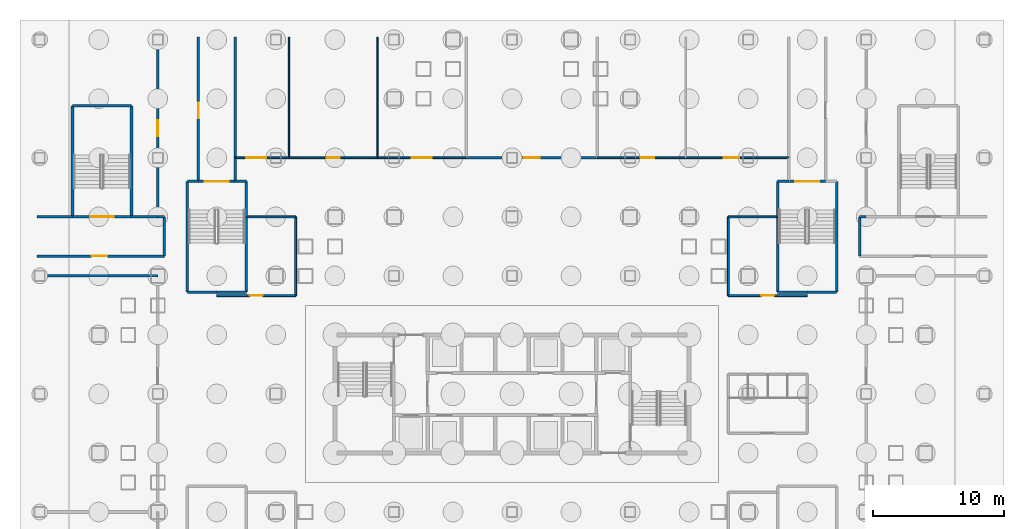
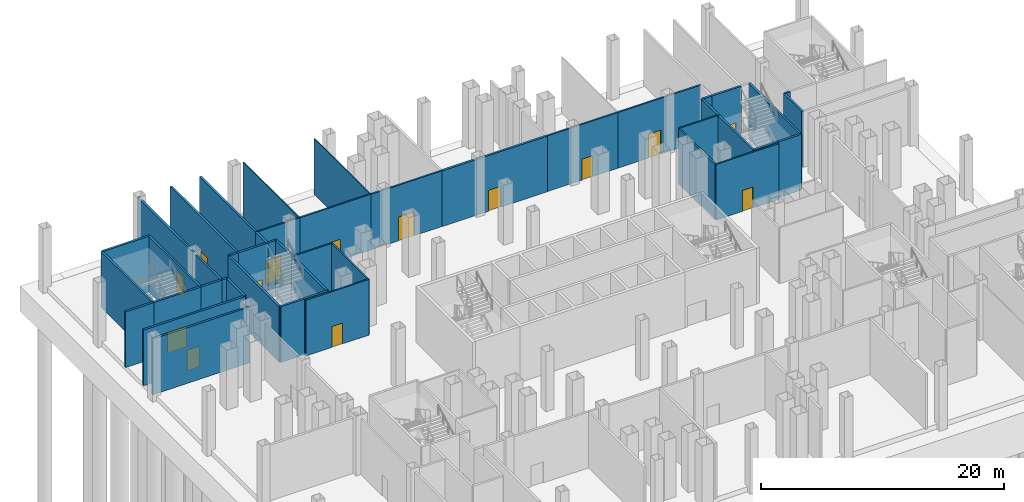
# One storey, part 6 of 25: 45 walls, 14 doors, 14 openings.
"""IFC4 building model written with IfcOpenShell, lengths in metres."""

import ifcopenshell
import ifcopenshell.guid

model = None  # the IFC model being written
_history = None  # IfcOwnerHistory: only IFC2X3 demands one
_inside = {}  # id of a spatial element -> (the spatial element, [elements in it])
_under = {}  # id of a project, library or spatial element -> (it, [spatial elements below it])
_declared = {}  # id of a project -> (the project, [libraries it declares])
_typed = {}  # id of a type object -> (the type object, [elements of that type])
_made_of = {}  # id of a material, layer set ... -> (it, [elements and type objects made of it])


def new_model(schema):
    """Start an empty IFC model of exactly this schema.

    Asked for "IFC4X3", IfcOpenShell would pick the latest addendum, in which some entities
    have other attributes; the version numbers below select the first issue.
    IFC2X3 requires an IfcOwnerHistory on every rooted entity: one is made here for all.
    """
    global model, _history
    if schema == "IFC4X3":
        model = ifcopenshell.file(schema_version=(4, 3, 0, 0))
    else:
        model = ifcopenshell.file(schema=schema)
    _inside.clear()
    _under.clear()
    _declared.clear()
    _typed.clear()
    _made_of.clear()
    _history = None
    if model.schema == "IFC2X3":
        org = make("IfcOrganization", Name="unknown")
        user = make(
            "IfcPersonAndOrganization",
            ThePerson=make("IfcPerson", FamilyName="unknown"),
            TheOrganization=org,
        )
        app = make(
            "IfcApplication",
            ApplicationDeveloper=org,
            Version="unknown",
            ApplicationFullName="unknown",
            ApplicationIdentifier="unknown",
        )
        _history = make(
            "IfcOwnerHistory",
            OwningUser=user,
            OwningApplication=app,
            ChangeAction="ADDED",
            CreationDate=0,
        )
    return model


def make(cls, **values):
    """One entity of the class cls with the attributes given. An attribute that is None is left unset."""
    return model.create_entity(
        cls, **{name: value for name, value in values.items() if value is not None}
    )


def rooted(cls, **values):
    """An entity with a GlobalId (a new one), such as an element, a storey or a relation."""
    return make(cls, GlobalId=ifcopenshell.guid.new(), OwnerHistory=_history, **values)


def si_unit(unit_type, name, prefix=None):
    """IfcSIUnit, for example si_unit("LENGTHUNIT", "METRE", prefix="MILLI")."""
    return make("IfcSIUnit", UnitType=unit_type, Prefix=prefix, Name=name)


def assignment(units):
    """IfcUnitAssignment: the units of a project."""
    return None if units is None else make("IfcUnitAssignment", Units=units)


def point(xyz):
    """IfcCartesianPoint."""
    return None if xyz is None else make("IfcCartesianPoint", Coordinates=xyz)


def direction(xyz):
    """IfcDirection."""
    return None if xyz is None else make("IfcDirection", DirectionRatios=xyz)


def frame(location, z_axis=None, x_axis=None):
    """IfcAxis2Placement3D, a coordinate frame: its origin and axes. An axis left out is left unset."""
    return make(
        "IfcAxis2Placement3D",
        Location=point(location),
        Axis=direction(z_axis),
        RefDirection=direction(x_axis),
    )


def frame_2d(location, x_axis=None):
    """IfcAxis2Placement2D, a coordinate frame in the plane: its origin and x axis."""
    return make(
        "IfcAxis2Placement2D", Location=point(location), RefDirection=direction(x_axis)
    )


def origin():
    """The frame at (0, 0, 0) with its axes left unset."""
    return frame((0.0, 0.0, 0.0))


def place(relative_to, where):
    """IfcLocalPlacement: puts the frame where relative to a parent placement (None: the world)."""
    return make(
        "IfcLocalPlacement", PlacementRelTo=relative_to, RelativePlacement=where
    )


def context(
    kind, dimensions, precision=None, world=None, true_north=None, identifier=None
):
    """IfcGeometricRepresentationContext, for example the 3D "Model" context."""
    return make(
        "IfcGeometricRepresentationContext",
        ContextIdentifier=identifier,
        ContextType=kind,
        CoordinateSpaceDimension=dimensions,
        Precision=precision,
        WorldCoordinateSystem=world,
        TrueNorth=true_north,
    )


def subcontext(parent, identifier, kind, view, scale=None):
    """IfcGeometricRepresentationSubContext, for example "Body" below "Model"."""
    return make(
        "IfcGeometricRepresentationSubContext",
        ContextIdentifier=identifier,
        ContextType=kind,
        ParentContext=parent,
        TargetScale=scale,
        TargetView=view,
    )


def project(units=None, contexts=None):
    """IfcProject with its units and contexts."""
    return rooted(
        "IfcProject",
        Name="project",
        RepresentationContexts=contexts,
        UnitsInContext=assignment(units),
    )


def spatial(cls, under=None, at=None, **own):
    """A site, building, storey or space (cls), placed at a placement, below another one or the project."""
    s = rooted(cls, ObjectPlacement=at, **own)
    if under is not None:
        _under.setdefault(under.id(), (under, []))[1].append(s)
    return s


def profile(cls, at=None, kind="AREA", **sizes):
    """A parametric profile (cls). Its sizes go by their IFC names, for example OverallWidth=200.0."""
    return make(cls, ProfileType=kind, Position=at, **sizes)


def rectangle(**sizes):
    """IfcRectangleProfileDef."""
    return profile("IfcRectangleProfileDef", **sizes)


def extrude(swept, where, along, depth):
    """IfcExtrudedAreaSolid: the profile swept, set in the frame where, extruded along a direction by depth."""
    return make(
        "IfcExtrudedAreaSolid",
        SweptArea=swept,
        Position=where,
        ExtrudedDirection=direction(along),
        Depth=depth,
    )


def shape(context_of_items, identifier, shape_type, items):
    """IfcShapeRepresentation: the items that make up one representation, for example the "Body"."""
    return make(
        "IfcShapeRepresentation",
        ContextOfItems=context_of_items,
        RepresentationIdentifier=identifier,
        RepresentationType=shape_type,
        Items=items,
    )


def material(Name=None, Category=None):
    """IfcMaterial."""
    return make("IfcMaterial", Name=Name, Category=Category)


def layer(
    of_material, thickness, ventilated=None, Name=None, Category=None, Priority=None
):
    """IfcMaterialLayer: one layer of a wall or slab, of a material (None: an air gap)."""
    return make(
        "IfcMaterialLayer",
        Material=of_material,
        LayerThickness=thickness,
        IsVentilated=ventilated,
        Name=Name,
        Category=Category,
        Priority=Priority,
    )


def layer_set(layers, Name=None):
    """IfcMaterialLayerSet."""
    return make("IfcMaterialLayerSet", MaterialLayers=layers, LayerSetName=Name)


def made_of(thing, what):
    """Note that an element or type object is made of a material, layer set ...; save() writes the relation."""
    if what is not None:
        _made_of.setdefault(what.id(), (what, []))[1].append(thing)
    return thing


def type_object(cls, material=None, **own):
    """A type object (cls), such as IfcWallType, which elements share."""
    return made_of(rooted(cls, **own), material)


def element(
    cls,
    number,
    at=None,
    inside=None,
    cuts=None,
    type_object=None,
    material=None,
    context=None,
    identifier="Body",
    shape_type=None,
    held_by="IfcProductDefinitionShape",
    body=None,
    shapes=None,
    **own,
):
    """One element of the class cls, such as IfcWall. Its Tag is "e" and its number.

    at: its placement. inside: the storey or other place that contains it. cuts: it is an
    opening in that element (IfcRelVoidsElement). A single representation is given by context,
    identifier, shape_type and body (its items); several are given by shapes. held_by: the class
    of the entity that holds the representations. save() writes the other relations.
    """
    e = rooted(cls, Tag="e%d" % number, ObjectPlacement=at, **own)
    if body is not None:
        shapes = [shape(context, identifier, shape_type, body)]
    if shapes is not None:
        e.Representation = make(held_by, Representations=shapes)
    if inside is not None:
        _inside.setdefault(inside.id(), (inside, []))[1].append(e)
    if cuts is not None:
        rooted(
            "IfcRelVoidsElement", RelatingBuildingElement=cuts, RelatedOpeningElement=e
        )
    if type_object is not None:
        _typed.setdefault(type_object.id(), (type_object, []))[1].append(e)
    return made_of(e, material)


def fill(opening, filler):
    """IfcRelFillsElement: the door or window that sits in an opening."""
    return rooted(
        "IfcRelFillsElement",
        RelatingOpeningElement=opening,
        RelatedBuildingElement=filler,
    )


def aggregate(whole, parts):
    """IfcRelAggregates: a whole, such as a stair, and the parts it consists of."""
    return rooted("IfcRelAggregates", RelatingObject=whole, RelatedObjects=parts)


def save(model, path):
    """Write the relations noted so far, then the file.

    IfcRelAggregates (storeys below a building ...), IfcRelContainedInSpatialStructure (elements
    in a storey), IfcRelDefinesByType, IfcRelAssociatesMaterial and IfcRelDeclares: one each for
    every whole, place, type object, material and project.
    """
    for whole, parts in _under.values():
        aggregate(whole, parts)
    for where, things in _inside.values():
        rooted(
            "IfcRelContainedInSpatialStructure",
            RelatedElements=things,
            RelatingStructure=where,
        )
    for kind, things in _typed.values():
        rooted("IfcRelDefinesByType", RelatedObjects=things, RelatingType=kind)
    for what, things in _made_of.values():
        rooted("IfcRelAssociatesMaterial", RelatedObjects=things, RelatingMaterial=what)
    for by, libraries in _declared.values():
        rooted("IfcRelDeclares", RelatingContext=by, RelatedDefinitions=libraries)
    model.write(path)


model = new_model("IFC4")

# Units and contexts
model_context = context("Model", 3, precision=1e-05, world=origin(), true_north=direction((0.0, 1.0)))
body_context = subcontext(model_context, "Body", "Model", "MODEL_VIEW")
ifc_project = project(units=[si_unit("LENGTHUNIT", "METRE"), si_unit("AREAUNIT", "SQUARE_METRE"), si_unit("VOLUMEUNIT", "CUBIC_METRE"), si_unit("PLANEANGLEUNIT", "RADIAN"), si_unit("MASSUNIT", "GRAM", prefix="KILO")], contexts=[model_context])

# Site, building, storey
site_placement = place(None, origin())
site = spatial("IfcSite", under=ifc_project, at=site_placement, CompositionType="ELEMENT")
building_placement = place(site_placement, origin())
building = spatial("IfcBuilding", under=site, at=building_placement, Name="Caravel Reach Hotel and Residences", CompositionType="ELEMENT")
storey_placement = place(building_placement, frame((0.0, 0.0, -6.0)))
storey = spatial("IfcBuildingStorey", under=building, at=storey_placement, Name="B1", CompositionType="ELEMENT", Elevation=-6.0)

# Wall
ifc_material_1 = material(Name="Autoclaved aerated block wall")
ifc_layer_1 = layer(ifc_material_1, 0.199951171875)
ifc_layer_set_1 = layer_set([ifc_layer_1], Name="Compartment wall 200 mm EI 120")
wall_type_1 = type_object("IfcWallType", Name="Compartment wall 200 mm EI 120", PredefinedType="PARTITIONING", material=ifc_layer_set_1)
wall_1_placement = place(storey_placement, frame((-4.68994140625, 36.0, 0.0), z_axis=(0.0, 0.0, 1.0), x_axis=(1.0, 0.0, 0.0)))
element("IfcWall", 1, at=wall_1_placement, inside=storey, type_object=wall_type_1, Name="B1 wall w037", PredefinedType="PARTITIONING", context=body_context, shape_type="SweptSolid", body=[
    extrude(rectangle(XDim=9.18994140625, YDim=0.199951171875, at=frame_2d((4.594970703125, 0.0))), origin(), (0.0, 0.0, 1.0), 5.60009765625),
])

# Wall, opening, door
wall_2_placement = place(storey_placement, frame((-4.68994140625, 37.5, 0.0), z_axis=(0.0, 0.0, 1.0), x_axis=(1.0, 0.0, 0.0)))
wall_2 = element("IfcWall", 2, at=wall_2_placement, inside=storey, type_object=wall_type_1, Name="B1 wall w039", PredefinedType="PARTITIONING", context=body_context, shape_type="SweptSolid", body=[
    extrude(rectangle(XDim=9.68994140625, YDim=0.199951171875, at=frame_2d((4.844970703125, 0.0))), origin(), (0.0, 0.0, 1.0), 5.60009765625),
])
opening_1_placement = place(wall_2_placement, frame((4.14990234375, 0.0, 0.0)))
opening_1 = element("IfcOpeningElement", 3, at=opening_1_placement, cuts=wall_2, Name="Opening DB1-022", PredefinedType="OPENING", context=body_context, shape_type="SweptSolid", body=[
    extrude(rectangle(XDim=1.199951171875, YDim=2.10009765625, at=frame_2d((0.60009765625, 1.050048828125))), frame((0.0, 0.10986328125, 0.0), z_axis=(0.0, -1.0, 0.0), x_axis=(1.0, 0.0, 0.0)), (0.0, 0.0, 1.0), 0.219970703125),
])
ifc_material_2 = material(Name="Steel fire door leaf", Category="steel")
door_type_1 = type_object("IfcDoorType", Name="Fire lobby door 1200 x 2100 EI 90", OperationType="SINGLE_SWING_LEFT", PredefinedType="DOOR", material=ifc_material_2)
door_1_placement = place(opening_1_placement, origin())
door_1 = element("IfcDoor", 4, at=door_1_placement, inside=storey, type_object=door_type_1, Name="door DB1-022", OperationType="SINGLE_SWING_RIGHT", OverallHeight=2.10009765625, OverallWidth=1.199951171875, PredefinedType="DOOR", context=body_context, shape_type="SweptSolid", body=[
    extrude(rectangle(XDim=1.199951171875, YDim=2.10009765625, at=frame_2d((0.60009765625, 1.050048828125))), frame((0.0, 0.02490234375, 0.0), z_axis=(0.0, -1.0, 0.0), x_axis=(1.0, 0.0, 0.0)), (0.0, 0.0, 1.0), 0.050048828125),
])
fill(opening_1, door_1)

# Walls
wall_3_placement = place(storey_placement, frame((4.5, 40.5, 0.0), z_axis=(0.0, 0.0, 1.0), x_axis=(1.0, 0.0, 0.0)))
element("IfcWall", 5, at=wall_3_placement, inside=storey, type_object=wall_type_1, Name="B1 wall w043", PredefinedType="PARTITIONING", context=body_context, shape_type="SweptSolid", body=[
    extrude(rectangle(XDim=0.5, YDim=0.199951171875, at=frame_2d((0.25, 0.0))), origin(), (0.0, 0.0, 1.0), 5.60009765625),
])
wall_4_placement = place(storey_placement, frame((-4.68994140625, 40.5, 0.0), z_axis=(0.0, 0.0, 1.0), x_axis=(1.0, 0.0, 0.0)))
element("IfcWall", 6, at=wall_4_placement, inside=storey, type_object=wall_type_1, Name="B1 wall w044", PredefinedType="PARTITIONING", context=body_context, shape_type="SweptSolid", body=[
    extrude(rectangle(XDim=2.68994140625, YDim=0.199951171875, at=frame_2d((1.344970703125, 0.0))), origin(), (0.0, 0.0, 1.0), 5.60009765625),
])
wall_5_placement = place(storey_placement, frame((2.5, 40.5, 0.0), z_axis=(0.0, 0.0, 1.0), x_axis=(1.0, 0.0, 0.0)))
element("IfcWall", 7, at=wall_5_placement, inside=storey, type_object=wall_type_1, Name="B1 wall w045", PredefinedType="PARTITIONING", context=body_context, shape_type="SweptSolid", body=[
    extrude(rectangle(XDim=2.0, YDim=0.199951171875, at=frame_2d((1.0, 0.0))), origin(), (0.0, 0.0, 1.0), 5.60009765625),
])
wall_6_placement = place(storey_placement, frame((58.0, 40.5, 0.0), z_axis=(0.0, 0.0, 1.0), x_axis=(1.0, 0.0, 0.0)))
element("IfcWall", 8, at=wall_6_placement, inside=storey, type_object=wall_type_1, Name="B1 wall w046", PredefinedType="PARTITIONING", context=body_context, shape_type="SweptSolid", body=[
    extrude(rectangle(XDim=0.5, YDim=0.199951171875, at=frame_2d((0.25, 0.0))), origin(), (0.0, 0.0, 1.0), 5.60009765625),
])

# Wall, opening, door
wall_7_placement = place(storey_placement, frame((28.0, 45.0, 0.0), z_axis=(0.0, 0.0, 1.0), x_axis=(1.0, 0.0, 0.0)))
wall_7 = element("IfcWall", 9, at=wall_7_placement, inside=storey, type_object=wall_type_1, Name="B1 wall w049", PredefinedType="PARTITIONING", context=body_context, shape_type="SweptSolid", body=[
    extrude(rectangle(XDim=10.0, YDim=0.199951171875, at=frame_2d((5.0, 0.0))), origin(), (0.0, 0.0, 1.0), 5.60009765625),
])
opening_2_placement = place(wall_7_placement, frame((4.39990234375, 0.0, 0.0)))
opening_2 = element("IfcOpeningElement", 10, at=opening_2_placement, cuts=wall_7, Name="Opening DB1-043", PredefinedType="OPENING", context=body_context, shape_type="SweptSolid", body=[
    extrude(rectangle(XDim=1.199951171875, YDim=2.10009765625, at=frame_2d((0.60009765625, 1.050048828125))), frame((0.0, 0.10986328125, 0.0), z_axis=(0.0, -1.0, 0.0), x_axis=(1.0, 0.0, 0.0)), (0.0, 0.0, 1.0), 0.219970703125),
])
ifc_material_3 = material(Name="Steel fire door leaf", Category="steel")
door_type_2 = type_object("IfcDoorType", Name="Plant room door 1200 x 2100 EI 60", OperationType="SINGLE_SWING_LEFT", PredefinedType="DOOR", material=ifc_material_3)
door_2_placement = place(opening_2_placement, origin())
door_2 = element("IfcDoor", 11, at=door_2_placement, inside=storey, type_object=door_type_2, Name="door DB1-043", OperationType="SINGLE_SWING_LEFT", OverallHeight=2.10009765625, OverallWidth=1.199951171875, PredefinedType="DOOR", context=body_context, shape_type="SweptSolid", body=[
    extrude(rectangle(XDim=1.199951171875, YDim=2.10009765625, at=frame_2d((0.60009765625, 1.050048828125))), frame((0.0, 0.02490234375, 0.0), z_axis=(0.0, -1.0, 0.0), x_axis=(1.0, 0.0, 0.0)), (0.0, 0.0, 1.0), 0.050048828125),
])
fill(opening_2, door_2)

# Walls
wall_8_placement = place(storey_placement, frame((10.39990234375, 43.199951171875, 0.0), z_axis=(0.0, 0.0, 1.0), x_axis=(0.0, 1.0, 0.0)))
element("IfcWall", 12, at=wall_8_placement, inside=storey, type_object=wall_type_1, Name="B1 wall w056", PredefinedType="PARTITIONING", context=body_context, shape_type="SweptSolid", body=[
    extrude(rectangle(XDim=1.800048828125, YDim=0.199951171875, at=frame_2d((0.89990234375, 0.0))), origin(), (0.0, 0.0, 1.0), 5.60009765625),
])
wall_9_placement = place(storey_placement, frame((10.39990234375, 45.0, 0.0), z_axis=(0.0, 0.0, 1.0), x_axis=(0.0, 1.0, 0.0)))
element("IfcWall", 13, at=wall_9_placement, inside=storey, type_object=wall_type_1, Name="B1 wall w057", PredefinedType="PARTITIONING", context=body_context, shape_type="SweptSolid", body=[
    extrude(rectangle(XDim=9.18994140625, YDim=0.199951171875, at=frame_2d((4.594970703125, 0.0))), origin(), (0.0, 0.0, 1.0), 5.60009765625),
])

# Wall, opening, door
wall_10_placement = place(storey_placement, frame((4.5, 40.5, 0.0), z_axis=(0.0, 0.0, 1.0), x_axis=(0.0, 1.0, 0.0)))
wall_10 = element("IfcWall", 14, at=wall_10_placement, inside=storey, type_object=wall_type_1, Name="B1 wall w068", PredefinedType="PARTITIONING", context=body_context, shape_type="SweptSolid", body=[
    extrude(rectangle(XDim=13.68994140625, YDim=0.199951171875, at=frame_2d((6.844970703125, 0.0))), origin(), (0.0, 0.0, 1.0), 5.60009765625),
])
opening_3_placement = place(wall_10_placement, frame((6.14990234375, 0.0, 0.0)))
opening_3 = element("IfcOpeningElement", 15, at=opening_3_placement, cuts=wall_10, Name="Opening DB1-030", PredefinedType="OPENING", context=body_context, shape_type="SweptSolid", body=[
    extrude(rectangle(XDim=1.199951171875, YDim=2.10009765625, at=frame_2d((0.60009765625, 1.050048828125))), frame((0.0, 0.10986328125, 0.0), z_axis=(0.0, -1.0, 0.0), x_axis=(1.0, 0.0, 0.0)), (0.0, 0.0, 1.0), 0.219970703125),
])
door_3_placement = place(opening_3_placement, origin())
door_3 = element("IfcDoor", 16, at=door_3_placement, inside=storey, type_object=door_type_2, Name="door DB1-030", OperationType="SINGLE_SWING_LEFT", OverallHeight=2.10009765625, OverallWidth=1.199951171875, PredefinedType="DOOR", context=body_context, shape_type="SweptSolid", body=[
    extrude(rectangle(XDim=1.199951171875, YDim=2.10009765625, at=frame_2d((0.60009765625, 1.050048828125))), frame((0.0, 0.02490234375, 0.0), z_axis=(0.0, -1.0, 0.0), x_axis=(1.0, 0.0, 0.0)), (0.0, 0.0, 1.0), 0.050048828125),
])
fill(opening_3, door_3)

# Walls
for number, where, z_axis, x_axis, name in (
    (17, (5.0, 37.5, 0.0), (0.0, 0.0, 1.0), (0.0, 1.0, 0.0), "B1 wall w070"),
    (18, (58.0, 37.5, 0.0), (0.0, 0.0, 1.0), (0.0, 1.0, 0.0), "B1 wall w078"),
):
    element("IfcWall", number, at=place(storey_placement, frame(where, z_axis=z_axis, x_axis=x_axis)), inside=storey, type_object=wall_type_1, Name=name, PredefinedType="PARTITIONING", context=body_context, shape_type="SweptSolid", body=[
        extrude(rectangle(XDim=3.0, YDim=0.199951171875, at=frame_2d((1.5, 0.0))), origin(), (0.0, 0.0, 1.0), 5.60009765625),
    ])

# Wall, opening, door
wall_11_placement = place(storey_placement, frame((7.60009765625, 43.199951171875, 0.0), z_axis=(0.0, 0.0, 1.0), x_axis=(0.0, 1.0, 0.0)))
wall_11 = element("IfcWall", 19, at=wall_11_placement, inside=storey, type_object=wall_type_1, Name="B1 wall w081", PredefinedType="PARTITIONING", context=body_context, shape_type="SweptSolid", body=[
    extrude(rectangle(XDim=10.989990234375, YDim=0.199951171875, at=frame_2d((5.4951171875, 0.0))), origin(), (0.0, 0.0, 1.0), 5.60009765625),
])
opening_4_placement = place(wall_11_placement, frame((4.800048828125, 0.0, 0.0)))
opening_4 = element("IfcOpeningElement", 20, at=opening_4_placement, cuts=wall_11, Name="Opening DB1-014", PredefinedType="OPENING", context=body_context, shape_type="SweptSolid", body=[
    extrude(rectangle(XDim=1.199951171875, YDim=2.10009765625, at=frame_2d((0.60009765625, 1.050048828125))), frame((0.0, 0.10986328125, 0.0), z_axis=(0.0, -1.0, 0.0), x_axis=(1.0, 0.0, 0.0)), (0.0, 0.0, 1.0), 0.219970703125),
])
door_4_placement = place(opening_4_placement, origin())
door_4 = element("IfcDoor", 21, at=door_4_placement, inside=storey, type_object=door_type_1, Name="door DB1-014", OperationType="SINGLE_SWING_RIGHT", OverallHeight=2.10009765625, OverallWidth=1.199951171875, PredefinedType="DOOR", context=body_context, shape_type="SweptSolid", body=[
    extrude(rectangle(XDim=1.199951171875, YDim=2.10009765625, at=frame_2d((0.60009765625, 1.050048828125))), frame((0.0, 0.02490234375, 0.0), z_axis=(0.0, -1.0, 0.0), x_axis=(1.0, 0.0, 0.0)), (0.0, 0.0, 1.0), 0.050048828125),
])
fill(opening_4, door_4)

ifc_material_4 = material(Name="Gypsum board on steel stud, fire-rated", Category="steel")
ifc_layer_2 = layer(ifc_material_4, 0.14990234375)
ifc_layer_set_2 = layer_set([ifc_layer_2], Name="Corridor wall 150 mm EI 60")
wall_type_2 = type_object("IfcWallType", Name="Corridor wall 150 mm EI 60", PredefinedType="PARTITIONING", material=ifc_layer_set_2)
wall_12_placement = place(storey_placement, frame((9.0, 34.5, 0.0), z_axis=(0.0, 0.0, 1.0), x_axis=(1.0, 0.0, 0.0)))
wall_12 = element("IfcWall", 22, at=wall_12_placement, inside=storey, type_object=wall_type_2, Name="B1 wall w007", PredefinedType="PARTITIONING", context=body_context, shape_type="SweptSolid", body=[
    extrude(rectangle(XDim=6.0, YDim=0.14990234375, at=frame_2d((3.0, 0.0))), origin(), (0.0, 0.0, 1.0), 5.60009765625),
])
opening_5_placement = place(wall_12_placement, frame((2.5, 0.0, 0.0)))
opening_5 = element("IfcOpeningElement", 23, at=opening_5_placement, cuts=wall_12, Name="Opening DB1-047", PredefinedType="OPENING", context=body_context, shape_type="SweptSolid", body=[
    extrude(rectangle(XDim=1.0, YDim=2.10009765625, at=frame_2d((0.5, 1.050048828125))), frame((0.0, 0.0849609375, 0.0), z_axis=(0.0, -1.0, 0.0), x_axis=(1.0, 0.0, 0.0)), (0.0, 0.0, 1.0), 0.169921875),
])
ifc_material_5 = material(Name="Steel fire door leaf", Category="steel")
door_type_3 = type_object("IfcDoorType", Name="Fire door 1000 x 2100 EI 60", OperationType="SINGLE_SWING_LEFT", PredefinedType="DOOR", material=ifc_material_5)
door_5_placement = place(opening_5_placement, origin())
door_5 = element("IfcDoor", 24, at=door_5_placement, inside=storey, type_object=door_type_3, Name="door DB1-047", OperationType="SINGLE_SWING_RIGHT", OverallHeight=2.10009765625, OverallWidth=1.0, PredefinedType="DOOR", context=body_context, shape_type="SweptSolid", body=[
    extrude(rectangle(XDim=1.0, YDim=2.10009765625, at=frame_2d((0.5, 1.050048828125))), frame((0.0, 0.02490234375, 0.0), z_axis=(0.0, -1.0, 0.0), x_axis=(1.0, 0.0, 0.0)), (0.0, 0.0, 1.0), 0.050048828125),
])
fill(opening_5, door_5)

wall_13_placement = place(storey_placement, frame((48.0, 34.5, 0.0), z_axis=(0.0, 0.0, 1.0), x_axis=(1.0, 0.0, 0.0)))
wall_13 = element("IfcWall", 25, at=wall_13_placement, inside=storey, type_object=wall_type_2, Name="B1 wall w008", PredefinedType="PARTITIONING", context=body_context, shape_type="SweptSolid", body=[
    extrude(rectangle(XDim=6.0, YDim=0.14990234375, at=frame_2d((3.0, 0.0))), origin(), (0.0, 0.0, 1.0), 5.60009765625),
])
opening_6_placement = place(wall_13_placement, frame((2.5, 0.0, 0.0)))
opening_6 = element("IfcOpeningElement", 26, at=opening_6_placement, cuts=wall_13, Name="Opening DB1-049", PredefinedType="OPENING", context=body_context, shape_type="SweptSolid", body=[
    extrude(rectangle(XDim=1.0, YDim=2.10009765625, at=frame_2d((0.5, 1.050048828125))), frame((0.0, 0.0849609375, 0.0), z_axis=(0.0, -1.0, 0.0), x_axis=(1.0, 0.0, 0.0)), (0.0, 0.0, 1.0), 0.169921875),
])
door_6_placement = place(opening_6_placement, origin())
door_6 = element("IfcDoor", 27, at=door_6_placement, inside=storey, type_object=door_type_3, Name="door DB1-049", OperationType="SINGLE_SWING_RIGHT", OverallHeight=2.10009765625, OverallWidth=1.0, PredefinedType="DOOR", context=body_context, shape_type="SweptSolid", body=[
    extrude(rectangle(XDim=1.0, YDim=2.10009765625, at=frame_2d((0.5, 1.050048828125))), frame((0.0, 0.02490234375, 0.0), z_axis=(0.0, -1.0, 0.0), x_axis=(1.0, 0.0, 0.0)), (0.0, 0.0, 1.0), 0.050048828125),
])
fill(opening_6, door_6)

# Walls
for number, where, z_axis, x_axis, name in (
    (28, (11.25, 40.5, 0.0), (0.0, 0.0, 1.0), (1.0, 0.0, 0.0), "B1 wall w009"),
    (29, (48.0, 40.5, 0.0), (0.0, 0.0, 1.0), (1.0, 0.0, 0.0), "B1 wall w010"),
):
    element("IfcWall", number, at=place(storey_placement, frame(where, z_axis=z_axis, x_axis=x_axis)), inside=storey, type_object=wall_type_2, Name=name, PredefinedType="PARTITIONING", context=body_context, shape_type="SweptSolid", body=[
        extrude(rectangle(XDim=3.75, YDim=0.14990234375, at=frame_2d((1.875, 0.0))), origin(), (0.0, 0.0, 1.0), 5.60009765625),
    ])

# Wall, opening, door
wall_14_placement = place(storey_placement, frame((10.39990234375, 45.0, 0.0), z_axis=(0.0, 0.0, 1.0), x_axis=(1.0, 0.0, 0.0)))
wall_14 = element("IfcWall", 30, at=wall_14_placement, inside=storey, type_object=wall_type_2, Name="B1 wall w011", PredefinedType="PARTITIONING", context=body_context, shape_type="SweptSolid", body=[
    extrude(rectangle(XDim=4.10009765625, YDim=0.14990234375, at=frame_2d((2.050048828125, 0.0))), origin(), (0.0, 0.0, 1.0), 5.60009765625),
])
opening_7_placement = place(wall_14_placement, frame((0.85009765625, 0.0, 0.0)))
opening_7 = element("IfcOpeningElement", 31, at=opening_7_placement, cuts=wall_14, Name="Opening DB1-040", PredefinedType="OPENING", context=body_context, shape_type="SweptSolid", body=[
    extrude(rectangle(XDim=1.5, YDim=2.39990234375, at=frame_2d((0.75, 1.199951171875))), frame((0.0, 0.0849609375, 0.0), z_axis=(0.0, -1.0, 0.0), x_axis=(1.0, 0.0, 0.0)), (0.0, 0.0, 1.0), 0.169921875),
])
ifc_material_6 = material(Name="Steel fire door leaf", Category="steel")
door_type_4 = type_object("IfcDoorType", Name="Service door pair 1500 x 2400 EI 60", OperationType="DOUBLE_DOOR_SINGLE_SWING", PredefinedType="DOOR", material=ifc_material_6)
door_7_placement = place(opening_7_placement, origin())
door_7 = element("IfcDoor", 32, at=door_7_placement, inside=storey, type_object=door_type_4, Name="door DB1-040", OperationType="DOUBLE_DOOR_SINGLE_SWING", OverallHeight=2.39990234375, OverallWidth=1.5, PredefinedType="DOOR", context=body_context, shape_type="SweptSolid", body=[
    extrude(rectangle(XDim=1.5, YDim=2.39990234375, at=frame_2d((0.75, 1.199951171875))), frame((0.0, 0.02490234375, 0.0), z_axis=(0.0, -1.0, 0.0), x_axis=(1.0, 0.0, 0.0)), (0.0, 0.0, 1.0), 0.050048828125),
])
fill(opening_7, door_7)

wall_15_placement = place(storey_placement, frame((14.5, 45.0, 0.0), z_axis=(0.0, 0.0, 1.0), x_axis=(1.0, 0.0, 0.0)))
wall_15 = element("IfcWall", 33, at=wall_15_placement, inside=storey, type_object=wall_type_2, Name="B1 wall w012", PredefinedType="PARTITIONING", context=body_context, shape_type="SweptSolid", body=[
    extrude(rectangle(XDim=6.75, YDim=0.14990234375, at=frame_2d((3.375, 0.0))), origin(), (0.0, 0.0, 1.0), 5.60009765625),
])
opening_8_placement = place(wall_15_placement, frame((2.875, 0.0, 0.0)))
opening_8 = element("IfcOpeningElement", 34, at=opening_8_placement, cuts=wall_15, Name="Opening DB1-041", PredefinedType="OPENING", context=body_context, shape_type="SweptSolid", body=[
    extrude(rectangle(XDim=1.0, YDim=2.10009765625, at=frame_2d((0.5, 1.050048828125))), frame((0.0, 0.0849609375, 0.0), z_axis=(0.0, -1.0, 0.0), x_axis=(1.0, 0.0, 0.0)), (0.0, 0.0, 1.0), 0.169921875),
])
door_8_placement = place(opening_8_placement, origin())
door_8 = element("IfcDoor", 35, at=door_8_placement, inside=storey, type_object=door_type_3, Name="door DB1-041", OperationType="SINGLE_SWING_RIGHT", OverallHeight=2.10009765625, OverallWidth=1.0, PredefinedType="DOOR", context=body_context, shape_type="SweptSolid", body=[
    extrude(rectangle(XDim=1.0, YDim=2.10009765625, at=frame_2d((0.5, 1.050048828125))), frame((0.0, 0.02490234375, 0.0), z_axis=(0.0, -1.0, 0.0), x_axis=(1.0, 0.0, 0.0)), (0.0, 0.0, 1.0), 0.050048828125),
])
fill(opening_8, door_8)

wall_16_placement = place(storey_placement, frame((21.25, 45.0, 0.0), z_axis=(0.0, 0.0, 1.0), x_axis=(1.0, 0.0, 0.0)))
wall_16 = element("IfcWall", 36, at=wall_16_placement, inside=storey, type_object=wall_type_2, Name="B1 wall w013", PredefinedType="PARTITIONING", context=body_context, shape_type="SweptSolid", body=[
    extrude(rectangle(XDim=6.75, YDim=0.14990234375, at=frame_2d((3.375, 0.0))), origin(), (0.0, 0.0, 1.0), 5.60009765625),
])
opening_9_placement = place(wall_16_placement, frame((2.625, 0.0, 0.0)))
opening_9 = element("IfcOpeningElement", 37, at=opening_9_placement, cuts=wall_16, Name="Opening DB1-042", PredefinedType="OPENING", context=body_context, shape_type="SweptSolid", body=[
    extrude(rectangle(XDim=1.5, YDim=2.39990234375, at=frame_2d((0.75, 1.199951171875))), frame((0.0, 0.0849609375, 0.0), z_axis=(0.0, -1.0, 0.0), x_axis=(1.0, 0.0, 0.0)), (0.0, 0.0, 1.0), 0.169921875),
])
door_9_placement = place(opening_9_placement, origin())
door_9 = element("IfcDoor", 38, at=door_9_placement, inside=storey, type_object=door_type_4, Name="door DB1-042", OperationType="DOUBLE_DOOR_SINGLE_SWING", OverallHeight=2.39990234375, OverallWidth=1.5, PredefinedType="DOOR", context=body_context, shape_type="SweptSolid", body=[
    extrude(rectangle(XDim=1.5, YDim=2.39990234375, at=frame_2d((0.75, 1.199951171875))), frame((0.0, 0.02490234375, 0.0), z_axis=(0.0, -1.0, 0.0), x_axis=(1.0, 0.0, 0.0)), (0.0, 0.0, 1.0), 0.050048828125),
])
fill(opening_9, door_9)

wall_17_placement = place(storey_placement, frame((38.0, 45.0, 0.0), z_axis=(0.0, 0.0, 1.0), x_axis=(1.0, 0.0, 0.0)))
wall_17 = element("IfcWall", 39, at=wall_17_placement, inside=storey, type_object=wall_type_2, Name="B1 wall w014", PredefinedType="PARTITIONING", context=body_context, shape_type="SweptSolid", body=[
    extrude(rectangle(XDim=6.75, YDim=0.14990234375, at=frame_2d((3.375, 0.0))), origin(), (0.0, 0.0, 1.0), 5.60009765625),
])
opening_10_placement = place(wall_17_placement, frame((3.324951171875, 0.0, 0.0)))
opening_10 = element("IfcOpeningElement", 40, at=opening_10_placement, cuts=wall_17, Name="Opening DB1-044", PredefinedType="OPENING", context=body_context, shape_type="SweptSolid", body=[
    extrude(rectangle(XDim=1.0, YDim=2.10009765625, at=frame_2d((0.5, 1.050048828125))), frame((0.0, 0.0849609375, 0.0), z_axis=(0.0, -1.0, 0.0), x_axis=(1.0, 0.0, 0.0)), (0.0, 0.0, 1.0), 0.169921875),
])
door_10_placement = place(opening_10_placement, origin())
door_10 = element("IfcDoor", 41, at=door_10_placement, inside=storey, type_object=door_type_3, Name="door DB1-044", OperationType="SINGLE_SWING_RIGHT", OverallHeight=2.10009765625, OverallWidth=1.0, PredefinedType="DOOR", context=body_context, shape_type="SweptSolid", body=[
    extrude(rectangle(XDim=1.0, YDim=2.10009765625, at=frame_2d((0.5, 1.050048828125))), frame((0.0, 0.02490234375, 0.0), z_axis=(0.0, -1.0, 0.0), x_axis=(1.0, 0.0, 0.0)), (0.0, 0.0, 1.0), 0.050048828125),
])
fill(opening_10, door_10)

wall_18_placement = place(storey_placement, frame((44.75, 45.0, 0.0), z_axis=(0.0, 0.0, 1.0), x_axis=(1.0, 0.0, 0.0)))
wall_18 = element("IfcWall", 42, at=wall_18_placement, inside=storey, type_object=wall_type_2, Name="B1 wall w015", PredefinedType="PARTITIONING", context=body_context, shape_type="SweptSolid", body=[
    extrude(rectangle(XDim=7.85009765625, YDim=0.14990234375, at=frame_2d((3.925048828125, 0.0))), origin(), (0.0, 0.0, 1.0), 5.60009765625),
])
opening_11_placement = place(wall_18_placement, frame((2.875, 0.0, 0.0)))
opening_11 = element("IfcOpeningElement", 43, at=opening_11_placement, cuts=wall_18, Name="Opening DB1-045", PredefinedType="OPENING", context=body_context, shape_type="SweptSolid", body=[
    extrude(rectangle(XDim=1.199951171875, YDim=2.39990234375, at=frame_2d((0.60009765625, 1.199951171875))), frame((0.0, 0.0849609375, 0.0), z_axis=(0.0, -1.0, 0.0), x_axis=(1.0, 0.0, 0.0)), (0.0, 0.0, 1.0), 0.169921875),
])
ifc_material_7 = material(Name="Timber and steel door leaf", Category="steel")
door_type_5 = type_object("IfcDoorType", Name="Glazed door 1200 x 2400", OperationType="SINGLE_SWING_LEFT", PredefinedType="DOOR", material=ifc_material_7)
door_11_placement = place(opening_11_placement, origin())
door_11 = element("IfcDoor", 44, at=door_11_placement, inside=storey, type_object=door_type_5, Name="door DB1-045", OperationType="SINGLE_SWING_LEFT", OverallHeight=2.39990234375, OverallWidth=1.199951171875, PredefinedType="DOOR", context=body_context, shape_type="SweptSolid", body=[
    extrude(rectangle(XDim=1.199951171875, YDim=2.39990234375, at=frame_2d((0.60009765625, 1.199951171875))), frame((0.0, 0.02490234375, 0.0), z_axis=(0.0, -1.0, 0.0), x_axis=(1.0, 0.0, 0.0)), (0.0, 0.0, 1.0), 0.050048828125),
])
fill(opening_11, door_11)

# Walls
for number, where, z_axis, x_axis, name in (
    (45, (15.0, 34.5, 0.0), (0.0, 0.0, 1.0), (0.0, 1.0, 0.0), "B1 wall w019"),
    (46, (48.0, 34.5, 0.0), (0.0, 0.0, 1.0), (0.0, 1.0, 0.0), "B1 wall w022"),
):
    element("IfcWall", number, at=place(storey_placement, frame(where, z_axis=z_axis, x_axis=x_axis)), inside=storey, type_object=wall_type_2, Name=name, PredefinedType="PARTITIONING", context=body_context, shape_type="SweptSolid", body=[
        extrude(rectangle(XDim=6.0, YDim=0.14990234375, at=frame_2d((3.0, 0.0))), origin(), (0.0, 0.0, 1.0), 5.60009765625),
    ])
ifc_material_8 = material(Name="Gypsum board on steel stud", Category="steel")
ifc_layer_3 = layer(ifc_material_8, 0.10009765625)
ifc_layer_set_3 = layer_set([ifc_layer_3], Name="Partition 100 mm")
wall_type_3 = type_object("IfcWallType", Name="Partition 100 mm", PredefinedType="PARTITIONING", material=ifc_layer_set_3)
for number, where, z_axis, x_axis, name in (
    (47, (14.5, 45.0, 0.0), (0.0, 0.0, 1.0), (0.0, 1.0, 0.0), "B1 wall w027"),
    (48, (21.25, 45.0, 0.0), (0.0, 0.0, 1.0), (0.0, 1.0, 0.0), "B1 wall w028"),
):
    element("IfcWall", number, at=place(storey_placement, frame(where, z_axis=z_axis, x_axis=x_axis)), inside=storey, type_object=wall_type_3, Name=name, PredefinedType="PARTITIONING", context=body_context, shape_type="SweptSolid", body=[
        extrude(rectangle(XDim=9.18994140625, YDim=0.10009765625, at=frame_2d((4.594970703125, 0.0))), origin(), (0.0, 0.0, 1.0), 5.60009765625),
    ])
ifc_material_9 = material(Name="Concrete C60", Category="concrete")
ifc_layer_4 = layer(ifc_material_9, 0.199951171875)
ifc_layer_set_4 = layer_set([ifc_layer_4], Name="Stair enclosure wall 200 mm EI 120")
wall_type_4 = type_object("IfcWallType", Name="Stair enclosure wall 200 mm EI 120", PredefinedType="SHEAR", material=ifc_layer_set_4)
for number, where, z_axis, x_axis, name in (
    (49, (6.75, 34.75, 0.0), (0.0, 0.0, 1.0), (1.0, 0.0, 0.0), "B1 wall w093"),
    (50, (9.0, 34.75, 0.0), (0.0, 0.0, 1.0), (1.0, 0.0, 0.0), "B1 wall w094"),
    (51, (54.0, 34.75, 0.0), (0.0, 0.0, 1.0), (1.0, 0.0, 0.0), "B1 wall w095"),
    (52, (51.75, 34.75, 0.0), (0.0, 0.0, 1.0), (1.0, 0.0, 0.0), "B1 wall w096"),
):
    element("IfcWall", number, at=place(storey_placement, frame(where, z_axis=z_axis, x_axis=x_axis)), inside=storey, type_object=wall_type_4, Name=name, PredefinedType="SHEAR", context=body_context, shape_type="SweptSolid", body=[
        extrude(rectangle(XDim=2.25, YDim=0.199951171875, at=frame_2d((1.125, 0.0))), origin(), (0.0, 0.0, 1.0), 5.60009765625),
    ])

# Wall, opening, door
wall_19_placement = place(storey_placement, frame((-2.0, 40.5, 0.0), z_axis=(0.0, 0.0, 1.0), x_axis=(1.0, 0.0, 0.0)))
wall_19 = element("IfcWall", 53, at=wall_19_placement, inside=storey, type_object=wall_type_4, Name="B1 wall w097", PredefinedType="SHEAR", context=body_context, shape_type="SweptSolid", body=[
    extrude(rectangle(XDim=4.5, YDim=0.199951171875, at=frame_2d((2.25, 0.0))), origin(), (0.0, 0.0, 1.0), 5.60009765625),
])
opening_12_placement = place(wall_19_placement, frame((1.35009765625, 0.0, 0.0)))
opening_12 = element("IfcOpeningElement", 54, at=opening_12_placement, cuts=wall_19, Name="Opening DB1-023", PredefinedType="OPENING", context=body_context, shape_type="SweptSolid", body=[
    extrude(rectangle(XDim=1.800048828125, YDim=2.10009765625, at=frame_2d((0.89990234375, 1.050048828125))), frame((0.0, 0.10986328125, 0.0), z_axis=(0.0, -1.0, 0.0), x_axis=(1.0, 0.0, 0.0)), (0.0, 0.0, 1.0), 0.219970703125),
])
ifc_material_10 = material(Name="Steel fire door leaf", Category="steel")
door_type_6 = type_object("IfcDoorType", Name="Stair door pair 1800 x 2100 EI 90", OperationType="DOUBLE_DOOR_SINGLE_SWING", PredefinedType="DOOR", material=ifc_material_10)
door_12_placement = place(opening_12_placement, origin())
door_12 = element("IfcDoor", 55, at=door_12_placement, inside=storey, type_object=door_type_6, Name="door DB1-023", OperationType="DOUBLE_DOOR_SINGLE_SWING", OverallHeight=2.10009765625, OverallWidth=1.800048828125, PredefinedType="DOOR", context=body_context, shape_type="SweptSolid", body=[
    extrude(rectangle(XDim=1.800048828125, YDim=2.10009765625, at=frame_2d((0.89990234375, 1.050048828125))), frame((0.0, 0.02490234375, 0.0), z_axis=(0.0, -1.0, 0.0), x_axis=(1.0, 0.0, 0.0)), (0.0, 0.0, 1.0), 0.050048828125),
])
fill(opening_12, door_12)

# Walls
for number, where, z_axis, x_axis, name in (
    (56, (6.75, 43.199951171875, 0.0), (0.0, 0.0, 1.0), (1.0, 0.0, 0.0), "B1 wall w099"),
    (57, (10.39990234375, 43.199951171875, 0.0), (0.0, 0.0, 1.0), (1.0, 0.0, 0.0), "B1 wall w100"),
):
    element("IfcWall", number, at=place(storey_placement, frame(where, z_axis=z_axis, x_axis=x_axis)), inside=storey, type_object=wall_type_4, Name=name, PredefinedType="SHEAR", context=body_context, shape_type="SweptSolid", body=[
        extrude(rectangle(XDim=0.85009765625, YDim=0.199951171875, at=frame_2d((0.425048828125, 0.0))), origin(), (0.0, 0.0, 1.0), 5.60009765625),
    ])

# Wall, opening, door
wall_20_placement = place(storey_placement, frame((7.60009765625, 43.199951171875, 0.0), z_axis=(0.0, 0.0, 1.0), x_axis=(1.0, 0.0, 0.0)))
wall_20 = element("IfcWall", 58, at=wall_20_placement, inside=storey, type_object=wall_type_4, Name="B1 wall w101", PredefinedType="SHEAR", context=body_context, shape_type="SweptSolid", body=[
    extrude(rectangle(XDim=2.7998046875, YDim=0.199951171875, at=frame_2d((1.39990234375, 0.0))), origin(), (0.0, 0.0, 1.0), 5.60009765625),
])
opening_13_placement = place(wall_20_placement, frame((0.5, 0.0, 0.0)))
opening_13 = element("IfcOpeningElement", 59, at=opening_13_placement, cuts=wall_20, Name="Opening DB1-015", PredefinedType="OPENING", context=body_context, shape_type="SweptSolid", body=[
    extrude(rectangle(XDim=1.800048828125, YDim=2.10009765625, at=frame_2d((0.89990234375, 1.050048828125))), frame((0.0, 0.10986328125, 0.0), z_axis=(0.0, -1.0, 0.0), x_axis=(1.0, 0.0, 0.0)), (0.0, 0.0, 1.0), 0.219970703125),
])
door_13_placement = place(opening_13_placement, origin())
door_13 = element("IfcDoor", 60, at=door_13_placement, inside=storey, type_object=door_type_6, Name="door DB1-015", OperationType="DOUBLE_DOOR_SINGLE_SWING", OverallHeight=2.10009765625, OverallWidth=1.800048828125, PredefinedType="DOOR", context=body_context, shape_type="SweptSolid", body=[
    extrude(rectangle(XDim=1.800048828125, YDim=2.10009765625, at=frame_2d((0.89990234375, 1.050048828125))), frame((0.0, 0.02490234375, 0.0), z_axis=(0.0, -1.0, 0.0), x_axis=(1.0, 0.0, 0.0)), (0.0, 0.0, 1.0), 0.050048828125),
])
fill(opening_13, door_13)

# Wall
wall_21_placement = place(storey_placement, frame((51.75, 43.199951171875, 0.0), z_axis=(0.0, 0.0, 1.0), x_axis=(1.0, 0.0, 0.0)))
element("IfcWall", 61, at=wall_21_placement, inside=storey, type_object=wall_type_4, Name="B1 wall w102", PredefinedType="SHEAR", context=body_context, shape_type="SweptSolid", body=[
    extrude(rectangle(XDim=0.85009765625, YDim=0.199951171875, at=frame_2d((0.425048828125, 0.0))), origin(), (0.0, 0.0, 1.0), 5.60009765625),
])

# Wall, opening, door
wall_22_placement = place(storey_placement, frame((52.60009765625, 43.199951171875, 0.0), z_axis=(0.0, 0.0, 1.0), x_axis=(1.0, 0.0, 0.0)))
wall_22 = element("IfcWall", 62, at=wall_22_placement, inside=storey, type_object=wall_type_4, Name="B1 wall w104", PredefinedType="SHEAR", context=body_context, shape_type="SweptSolid", body=[
    extrude(rectangle(XDim=2.7998046875, YDim=0.199951171875, at=frame_2d((1.39990234375, 0.0))), origin(), (0.0, 0.0, 1.0), 5.60009765625),
])
opening_14_placement = place(wall_22_placement, frame((0.5, 0.0, 0.0)))
opening_14 = element("IfcOpeningElement", 63, at=opening_14_placement, cuts=wall_22, Name="Opening DB1-017", PredefinedType="OPENING", context=body_context, shape_type="SweptSolid", body=[
    extrude(rectangle(XDim=1.800048828125, YDim=2.10009765625, at=frame_2d((0.89990234375, 1.050048828125))), frame((0.0, 0.10986328125, 0.0), z_axis=(0.0, -1.0, 0.0), x_axis=(1.0, 0.0, 0.0)), (0.0, 0.0, 1.0), 0.219970703125),
])
door_14_placement = place(opening_14_placement, origin())
door_14 = element("IfcDoor", 64, at=door_14_placement, inside=storey, type_object=door_type_6, Name="door DB1-017", OperationType="DOUBLE_DOOR_SINGLE_SWING", OverallHeight=2.10009765625, OverallWidth=1.800048828125, PredefinedType="DOOR", context=body_context, shape_type="SweptSolid", body=[
    extrude(rectangle(XDim=1.800048828125, YDim=2.10009765625, at=frame_2d((0.89990234375, 1.050048828125))), frame((0.0, 0.02490234375, 0.0), z_axis=(0.0, -1.0, 0.0), x_axis=(1.0, 0.0, 0.0)), (0.0, 0.0, 1.0), 0.050048828125),
])
fill(opening_14, door_14)

# Walls
wall_23_placement = place(storey_placement, frame((-2.0, 48.949951171875, 0.0), z_axis=(0.0, 0.0, 1.0), x_axis=(1.0, 0.0, 0.0)))
element("IfcWall", 65, at=wall_23_placement, inside=storey, type_object=wall_type_4, Name="B1 wall w105", PredefinedType="SHEAR", context=body_context, shape_type="SweptSolid", body=[
    extrude(rectangle(XDim=4.5, YDim=0.199951171875, at=frame_2d((2.25, 0.0))), origin(), (0.0, 0.0, 1.0), 5.60009765625),
])
wall_24_placement = place(storey_placement, frame((-2.0, 40.5, 0.0), z_axis=(0.0, 0.0, 1.0), x_axis=(0.0, 1.0, 0.0)))
element("IfcWall", 66, at=wall_24_placement, inside=storey, type_object=wall_type_4, Name="B1 wall w108", PredefinedType="SHEAR", context=body_context, shape_type="SweptSolid", body=[
    extrude(rectangle(XDim=8.449951171875, YDim=0.199951171875, at=frame_2d((4.22509765625, 0.0))), origin(), (0.0, 0.0, 1.0), 5.60009765625),
])
wall_25_placement = place(storey_placement, frame((11.25, 40.5, 0.0), z_axis=(0.0, 0.0, 1.0), x_axis=(0.0, 1.0, 0.0)))
element("IfcWall", 67, at=wall_25_placement, inside=storey, type_object=wall_type_4, Name="B1 wall w109", PredefinedType="SHEAR", context=body_context, shape_type="SweptSolid", body=[
    extrude(rectangle(XDim=2.699951171875, YDim=0.199951171875, at=frame_2d((1.35009765625, 0.0))), origin(), (0.0, 0.0, 1.0), 5.60009765625),
])
wall_26_placement = place(storey_placement, frame((11.25, 34.75, 0.0), z_axis=(0.0, 0.0, 1.0), x_axis=(0.0, 1.0, 0.0)))
element("IfcWall", 68, at=wall_26_placement, inside=storey, type_object=wall_type_4, Name="B1 wall w110", PredefinedType="SHEAR", context=body_context, shape_type="SweptSolid", body=[
    extrude(rectangle(XDim=5.75, YDim=0.199951171875, at=frame_2d((2.875, 0.0))), origin(), (0.0, 0.0, 1.0), 5.60009765625),
])
wall_27_placement = place(storey_placement, frame((2.5, 40.5, 0.0), z_axis=(0.0, 0.0, 1.0), x_axis=(0.0, 1.0, 0.0)))
element("IfcWall", 69, at=wall_27_placement, inside=storey, type_object=wall_type_4, Name="B1 wall w114", PredefinedType="SHEAR", context=body_context, shape_type="SweptSolid", body=[
    extrude(rectangle(XDim=8.449951171875, YDim=0.199951171875, at=frame_2d((4.22509765625, 0.0))), origin(), (0.0, 0.0, 1.0), 5.60009765625),
])
wall_28_placement = place(storey_placement, frame((51.75, 40.5, 0.0), z_axis=(0.0, 0.0, 1.0), x_axis=(0.0, 1.0, 0.0)))
element("IfcWall", 70, at=wall_28_placement, inside=storey, type_object=wall_type_4, Name="B1 wall w115", PredefinedType="SHEAR", context=body_context, shape_type="SweptSolid", body=[
    extrude(rectangle(XDim=2.699951171875, YDim=0.199951171875, at=frame_2d((1.35009765625, 0.0))), origin(), (0.0, 0.0, 1.0), 5.60009765625),
])
wall_29_placement = place(storey_placement, frame((51.75, 34.75, 0.0), z_axis=(0.0, 0.0, 1.0), x_axis=(0.0, 1.0, 0.0)))
element("IfcWall", 71, at=wall_29_placement, inside=storey, type_object=wall_type_4, Name="B1 wall w116", PredefinedType="SHEAR", context=body_context, shape_type="SweptSolid", body=[
    extrude(rectangle(XDim=5.75, YDim=0.199951171875, at=frame_2d((2.875, 0.0))), origin(), (0.0, 0.0, 1.0), 5.60009765625),
])
for number, where, z_axis, x_axis, name in (
    (72, (56.25, 34.75, 0.0), (0.0, 0.0, 1.0), (0.0, 1.0, 0.0), "B1 wall w120"),
    (73, (6.75, 34.75, 0.0), (0.0, 0.0, 1.0), (0.0, 1.0, 0.0), "B1 wall w122"),
):
    element("IfcWall", number, at=place(storey_placement, frame(where, z_axis=z_axis, x_axis=x_axis)), inside=storey, type_object=wall_type_4, Name=name, PredefinedType="SHEAR", context=body_context, shape_type="SweptSolid", body=[
        extrude(rectangle(XDim=8.449951171875, YDim=0.199951171875, at=frame_2d((4.22509765625, 0.0))), origin(), (0.0, 0.0, 1.0), 5.60009765625),
    ])

save(model, "model.ifc")
